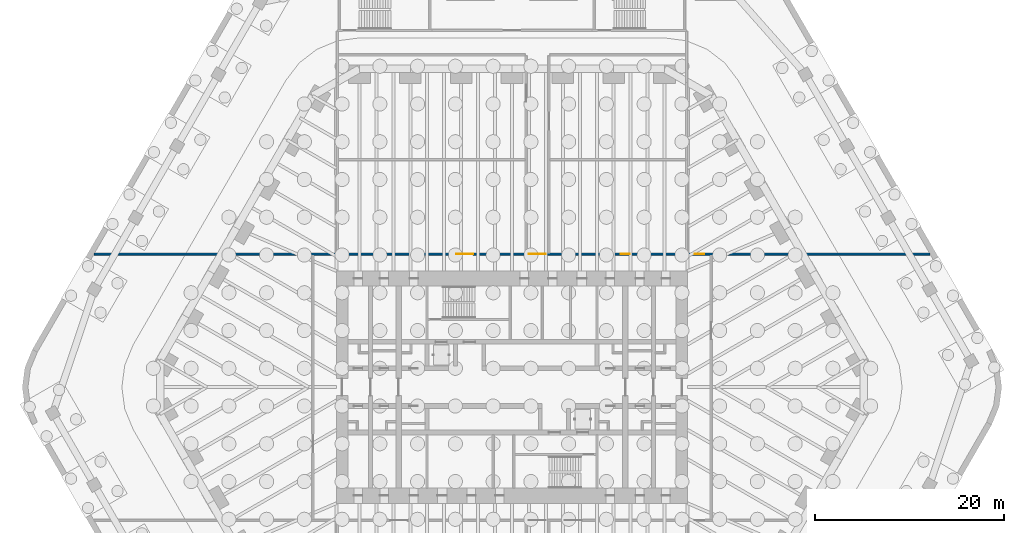
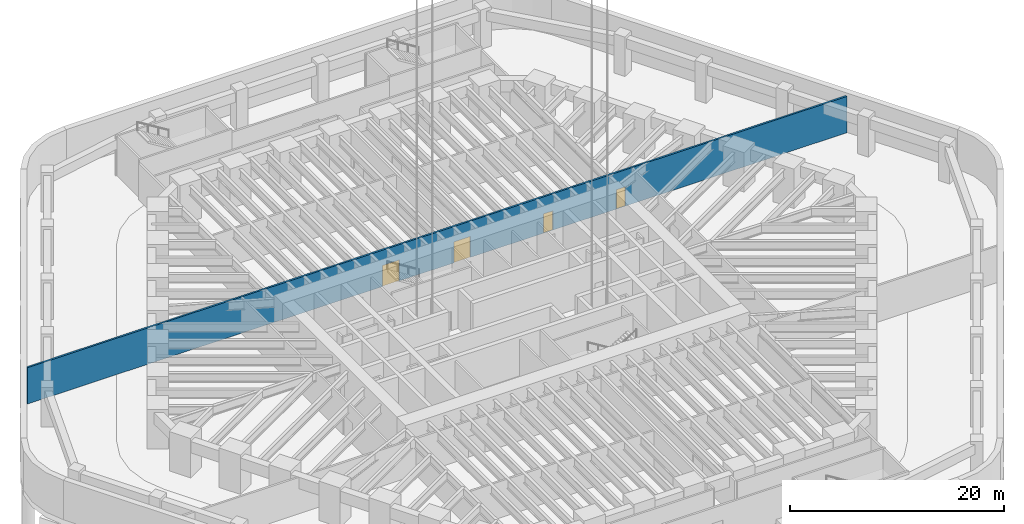
# One storey, part 10 of 17: 4 doors, 1 wall, 4 openings.
"""IFC4 building model written with IfcOpenShell, lengths in metres."""

from ifc_helpers import new_model, si_unit, direction, frame, frame_2d, origin, place, context, subcontext, project, spatial, rectangle, extrude, material, layer, layer_set, type_object, element, fill, save


model = new_model("IFC4")

# Units and contexts
model_context = context("Model", 3, precision=1e-05, world=origin(), true_north=direction((0.0, 1.0)))
body_context = subcontext(model_context, "Body", "Model", "MODEL_VIEW")
ifc_project = project(units=[si_unit("LENGTHUNIT", "METRE"), si_unit("AREAUNIT", "SQUARE_METRE"), si_unit("VOLUMEUNIT", "CUBIC_METRE"), si_unit("PLANEANGLEUNIT", "RADIAN"), si_unit("MASSUNIT", "GRAM", prefix="KILO")], contexts=[model_context])

# Site, building, storey
site_placement = place(None, origin())
site = spatial("IfcSite", under=ifc_project, at=site_placement, CompositionType="ELEMENT")
building_placement = place(site_placement, origin())
building = spatial("IfcBuilding", under=site, at=building_placement, Name="Tarfa Lantern Tower", CompositionType="ELEMENT")
storey_placement = place(building_placement, frame((0.0, 0.0, -9.0)))
storey = spatial("IfcBuildingStorey", under=building, at=storey_placement, Name="B2", CompositionType="ELEMENT", Elevation=-9.0)

# Wall, openings, doors
ifc_material_1 = material(Name="Concrete blockwork", Category="masonry")
ifc_layer = layer(ifc_material_1, 0.199951171875)
ifc_layer_set = layer_set([ifc_layer], Name="IW1 BLOCKWORK PARTITION 200 EI 120")
wall_type = type_object("IfcWallType", Name="IW1 BLOCKWORK PARTITION 200 EI 120", PredefinedType="PARTITIONING", material=ifc_layer_set)
wall_placement = place(storey_placement, frame((-44.28271484375, 14.10009765625, 0.0), z_axis=(0.0, 0.0, 1.0), x_axis=(1.0, 0.0, 0.0)))
wall = element("IfcWall", 1, at=wall_placement, inside=storey, type_object=wall_type, Name="Fire-rated partition", PredefinedType="PARTITIONING", context=body_context, shape_type="SweptSolid", body=[
    extrude(rectangle(XDim=88.5654296875, YDim=0.199951171875, at=frame_2d((44.28271484375, 0.0))), origin(), (0.0, 0.0, 1.0), 4.14990234375),
])
opening_1_placement = place(wall_placement, frame((38.3828125, 0.0, 0.0)))
opening_1 = element("IfcOpeningElement", 2, at=opening_1_placement, cuts=wall, Name="Opening D57", PredefinedType="OPENING", context=body_context, shape_type="SweptSolid", body=[
    extrude(rectangle(XDim=1.800048828125, YDim=2.39990234375, at=frame_2d((0.89990234375, 1.199951171875))), frame((0.0, 0.10986328125, 0.0), z_axis=(0.0, -1.0, 0.0), x_axis=(1.0, 0.0, 0.0)), (0.0, 0.0, 1.0), 0.219970703125),
])
opening_2_placement = place(wall_placement, frame((55.78271484375, 0.0, 0.0)))
opening_2 = element("IfcOpeningElement", 3, at=opening_2_placement, cuts=wall, Name="Opening D55", PredefinedType="OPENING", context=body_context, shape_type="SweptSolid", body=[
    extrude(rectangle(XDim=1.0, YDim=2.199951171875, at=frame_2d((0.5, 1.10009765625))), frame((0.0, 0.10986328125, 0.0), z_axis=(0.0, -1.0, 0.0), x_axis=(1.0, 0.0, 0.0)), (0.0, 0.0, 1.0), 0.219970703125),
])
opening_3_placement = place(wall_placement, frame((46.082763671875, 0.0, 0.0)))
opening_3 = element("IfcOpeningElement", 4, at=opening_3_placement, cuts=wall, Name="Opening D59", PredefinedType="OPENING", context=body_context, shape_type="SweptSolid", body=[
    extrude(rectangle(XDim=1.800048828125, YDim=2.39990234375, at=frame_2d((0.89990234375, 1.199951171875))), frame((0.0, 0.10986328125, 0.0), z_axis=(0.0, -1.0, 0.0), x_axis=(1.0, 0.0, 0.0)), (0.0, 0.0, 1.0), 0.219970703125),
])
opening_4_placement = place(wall_placement, frame((63.6328125, 0.0, 0.0)))
opening_4 = element("IfcOpeningElement", 5, at=opening_4_placement, cuts=wall, Name="Opening D46", PredefinedType="OPENING", context=body_context, shape_type="SweptSolid", body=[
    extrude(rectangle(XDim=1.0, YDim=2.199951171875, at=frame_2d((0.5, 1.10009765625))), frame((0.0, 0.10986328125, 0.0), z_axis=(0.0, -1.0, 0.0), x_axis=(1.0, 0.0, 0.0)), (0.0, 0.0, 1.0), 0.219970703125),
])
ifc_material_2 = material(Name="Steel fire door", Category="steel")
door_type_1 = type_object("IfcDoorType", Name="DF7 FIRE DOOR 1800x2400", OperationType="DOUBLE_DOOR_SINGLE_SWING", PredefinedType="DOOR", material=ifc_material_2)
door_1_placement = place(opening_1_placement, origin())
door_1 = element("IfcDoor", 6, at=door_1_placement, inside=storey, type_object=door_type_1, Name="Generator room door", OperationType="DOUBLE_DOOR_SINGLE_SWING", OverallHeight=2.39990234375, OverallWidth=1.800048828125, PredefinedType="DOOR", context=body_context, shape_type="SweptSolid", body=[
    extrude(rectangle(XDim=1.800048828125, YDim=2.39990234375, at=frame_2d((0.89990234375, 1.199951171875))), frame((0.0, 0.02490234375, 0.0), z_axis=(0.0, -1.0, 0.0), x_axis=(1.0, 0.0, 0.0)), (0.0, 0.0, 1.0), 0.050048828125),
])
fill(opening_1, door_1)
door_2_placement = place(opening_3_placement, origin())
door_2 = element("IfcDoor", 7, at=door_2_placement, inside=storey, type_object=door_type_1, Name="Corridor door", OperationType="DOUBLE_DOOR_SINGLE_SWING", OverallHeight=2.39990234375, OverallWidth=1.800048828125, PredefinedType="DOOR", context=body_context, shape_type="SweptSolid", body=[
    extrude(rectangle(XDim=1.800048828125, YDim=2.39990234375, at=frame_2d((0.89990234375, 1.199951171875))), frame((0.0, 0.02490234375, 0.0), z_axis=(0.0, -1.0, 0.0), x_axis=(1.0, 0.0, 0.0)), (0.0, 0.0, 1.0), 0.050048828125),
])
fill(opening_3, door_2)
door_type_2 = type_object("IfcDoorType", Name="DF8 FIRE DOOR 1000x2200", OperationType="SINGLE_SWING_LEFT", PredefinedType="DOOR", material=ifc_material_2)
door_3_placement = place(opening_2_placement, origin())
door_3 = element("IfcDoor", 8, at=door_3_placement, inside=storey, type_object=door_type_2, Name="Fuel tank room door", OperationType="SINGLE_SWING_LEFT", OverallHeight=2.199951171875, OverallWidth=1.0, PredefinedType="DOOR", context=body_context, shape_type="SweptSolid", body=[
    extrude(rectangle(XDim=1.0, YDim=2.199951171875, at=frame_2d((0.5, 1.10009765625))), frame((0.0, 0.02490234375, 0.0), z_axis=(0.0, -1.0, 0.0), x_axis=(1.0, 0.0, 0.0)), (0.0, 0.0, 1.0), 0.050048828125),
])
fill(opening_2, door_3)
door_4_placement = place(opening_4_placement, origin())
door_4 = element("IfcDoor", 9, at=door_4_placement, inside=storey, type_object=door_type_2, Name="Plant room door", OperationType="SINGLE_SWING_RIGHT", OverallHeight=2.199951171875, OverallWidth=1.0, PredefinedType="DOOR", context=body_context, shape_type="SweptSolid", body=[
    extrude(rectangle(XDim=1.0, YDim=2.199951171875, at=frame_2d((0.5, 1.10009765625))), frame((0.0, 0.02490234375, 0.0), z_axis=(0.0, -1.0, 0.0), x_axis=(1.0, 0.0, 0.0)), (0.0, 0.0, 1.0), 0.050048828125),
])
fill(opening_4, door_4)

save(model, "model.ifc")
